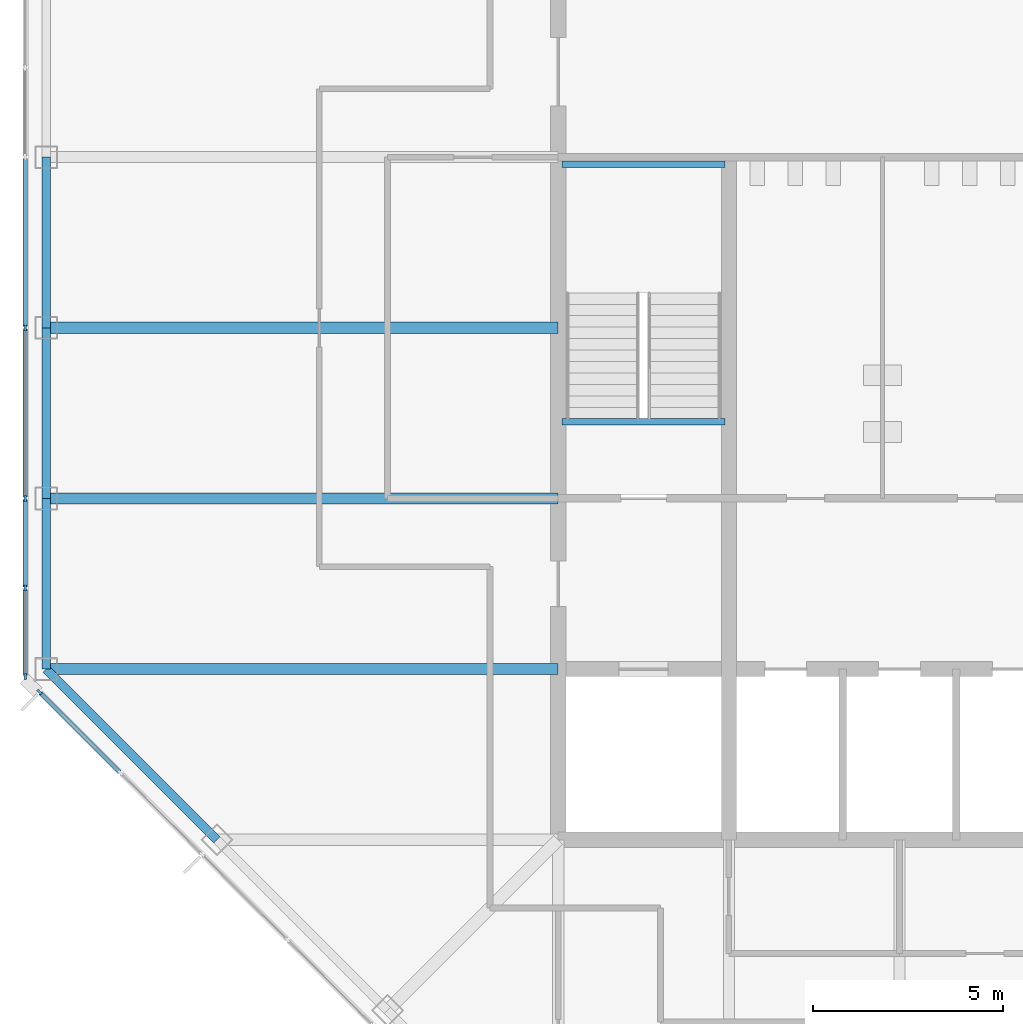
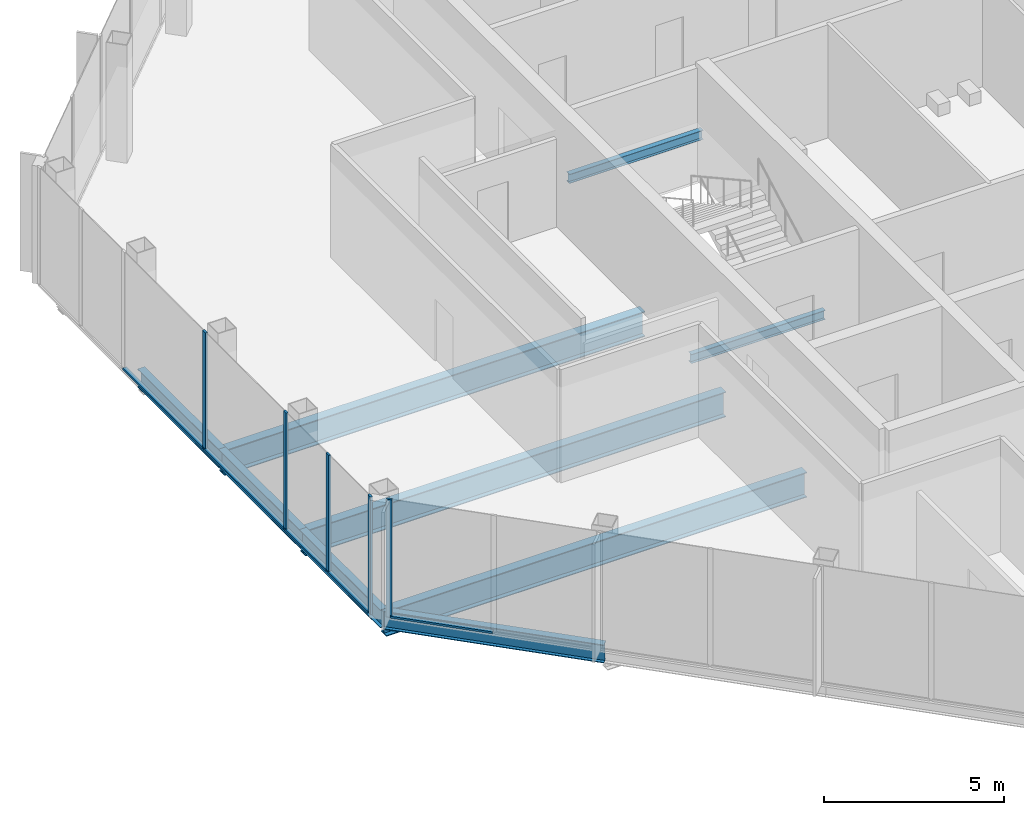
# One storey, part 3 of 14: 10 members, 9 beams, 2 elements without a shape of their own.
"""IFC4 building model written with IfcOpenShell, lengths in metres."""

from ifc_helpers import new_model, si_unit, direction, frame, origin, origin_2d, place, context, subcontext, project, spatial, rectangle, i_section, extrude, material, material_profile, profile_set, type_object, element, aggregate, save


model = new_model("IFC4")

# Units and contexts
model_context = context("Model", 3, precision=1e-05, world=origin(), true_north=direction((0.0, 1.0)))
body_context = subcontext(model_context, "Body", "Model", "MODEL_VIEW")
ifc_project = project(units=[si_unit("LENGTHUNIT", "METRE"), si_unit("AREAUNIT", "SQUARE_METRE"), si_unit("VOLUMEUNIT", "CUBIC_METRE"), si_unit("PLANEANGLEUNIT", "RADIAN"), si_unit("MASSUNIT", "GRAM", prefix="KILO")], contexts=[model_context])

# Site, building, storey
site_placement = place(None, origin())
site = spatial("IfcSite", under=ifc_project, at=site_placement, CompositionType="ELEMENT")
building_placement = place(site_placement, origin())
building = spatial("IfcBuilding", under=site, at=building_placement, Name="Corais Broadcast Tower", CompositionType="ELEMENT")
storey_placement = place(building_placement, frame((0.0, 0.0, 282.60009765625)))
storey = spatial("IfcBuildingStorey", under=building, at=storey_placement, Name="L66", CompositionType="ELEMENT", Elevation=282.60009765625)

# Beams
ifc_material_1 = material(Name="Steel ASTM A572 Grade 50", Category="steel")
ifc_material_profile_1 = material_profile(ifc_material_1, i_section(OverallWidth=0.2939453125, OverallDepth=0.85107421875, WebThickness=0.01611328125, FlangeThickness=0.02685546875, at=origin_2d()), Name="W840x226")
ifc_profile_set_1 = profile_set([ifc_material_profile_1], Name="Steel ASTM A572 Grade 50")
beam_type_1 = type_object("IfcBeamType", Name="Floor beam W840x226", PredefinedType="BEAM", material=ifc_profile_set_1)
for number, where, z_axis, x_axis, name in (
    (1, (0.0, 18.0, -0.585693359375), (1.0, 0.0, 0.0), (0.0, 1.0, 0.0), "B1 E/3 to E/6"),
    (2, (0.0, 22.5, -0.585693359375), (1.0, 0.0, 0.0), (0.0, 1.0, 0.0), "B1 F/3 to F/6"),
    (3, (0.0, 27.0, -0.585693359375), (1.0, 0.0, 0.0), (0.0, 1.0, 0.0), "B1 G/3 to G/6"),
):
    element("IfcBeam", number, at=place(storey_placement, frame(where, z_axis=z_axis, x_axis=x_axis)), inside=storey, type_object=beam_type_1, Name=name, PredefinedType="BEAM", context=body_context, shape_type="SweptSolid", body=[
        extrude(i_section(OverallWidth=0.2939453125, OverallDepth=0.85107421875, WebThickness=0.01611328125, FlangeThickness=0.02685546875, at=origin_2d()), origin(), (0.0, 0.0, 1.0), 13.5),
    ])
ifc_material_2 = material(Name="Steel ASTM A572 Grade 50", Category="steel")
ifc_material_profile_2 = material_profile(ifc_material_2, i_section(OverallWidth=0.1650390625, OverallDepth=0.31005859375, WebThickness=0.005859375, FlangeThickness=0.009765625, at=origin_2d()), Name="W310x38.7")
ifc_profile_set_2 = profile_set([ifc_material_profile_2], Name="Steel ASTM A572 Grade 50")
beam_type_2 = type_object("IfcBeamType", Name="Landing trimmer W310x38.7", PredefinedType="BEAM", material=ifc_profile_set_2)
for number, where, z_axis, x_axis, name in (
    (4, (13.60009765625, 24.52490234375, -0.35498046875), (1.0, 0.0, 0.0), (0.0, 1.0, 0.0), "LT1 stair A landing trimmer L66"),
    (5, (13.60009765625, 31.31005859375, 1.64501953125), (1.0, 0.0, 0.0), (0.0, 1.0, 0.0), "LT1 stair A half landing trimmer L66"),
):
    element("IfcBeam", number, at=place(storey_placement, frame(where, z_axis=z_axis, x_axis=x_axis)), inside=storey, type_object=beam_type_2, Name=name, PredefinedType="BEAM", context=body_context, shape_type="SweptSolid", body=[
        extrude(i_section(OverallWidth=0.1650390625, OverallDepth=0.31005859375, WebThickness=0.005859375, FlangeThickness=0.009765625, at=origin_2d()), origin(), (0.0, 0.0, 1.0), 4.2998046875),
    ])

# Curtain wall, member
ifc_material_3 = material(Name="Aluminium and glass", Category="aluminium")
curtain_wall_type = type_object("IfcCurtainWallType", Name="Unitised fritted curtain wall CW3", PredefinedType="NOTDEFINED", material=ifc_material_3)
curtain_wall_1_placement = place(storey_placement, origin())
curtain_wall_1 = element("IfcCurtainWall", 6, at=curtain_wall_1_placement, inside=storey, type_object=curtain_wall_type, Name="CW3 curtain wall L66 1", PredefinedType="NOTDEFINED")
ifc_material_4 = material(Name="Aluminium 6063-T6", Category="aluminium")
ifc_material_profile_3 = material_profile(ifc_material_4, rectangle(XDim=0.06494140625, YDim=0.159912109375, at=origin_2d()), Name="Mullion CW3 65x160")
ifc_profile_set_3 = profile_set([ifc_material_profile_3], Name="Aluminium 6063-T6")
member_type_1 = type_object("IfcMemberType", Name="Mullion CW3 65x160", PredefinedType="MULLION", material=ifc_profile_set_3)
member_1_placement = place(storey_placement, frame((-0.17333984375, 17.3955078125, 0.0), z_axis=(0.0, 0.0, 1.0), x_axis=(-0.707106781187, -0.707106781187, 0.0)))
member_1 = element("IfcMember", 7, at=member_1_placement, type_object=member_type_1, Name="CW3 mullion 9", PredefinedType="MULLION", context=body_context, shape_type="SweptSolid", body=[
    extrude(rectangle(XDim=0.06494140625, YDim=0.159912109375, at=origin_2d()), origin(), (0.0, 0.0, 1.0), 4.0),
])

# Curtain wall, members
curtain_wall_2_placement = place(storey_placement, origin())
curtain_wall_2 = element("IfcCurtainWall", 8, at=curtain_wall_2_placement, inside=storey, type_object=curtain_wall_type, Name="CW3 curtain wall L66 2", PredefinedType="NOTDEFINED")
member_2_placement = place(storey_placement, frame((-0.550048828125, 17.8046875, 0.0), z_axis=(0.0, 0.0, 1.0), x_axis=(-1.0, 0.0, 0.0)))
member_2 = element("IfcMember", 9, at=member_2_placement, type_object=member_type_1, Name="CW3 mullion 1", PredefinedType="MULLION", context=body_context, shape_type="SweptSolid", body=[
    extrude(rectangle(XDim=0.06494140625, YDim=0.159912109375, at=origin_2d()), origin(), (0.0, 0.0, 1.0), 4.0),
])
member_3_placement = place(storey_placement, frame((-0.550048828125, 20.135986328125, 0.0), z_axis=(0.0, 0.0, 1.0), x_axis=(-1.0, 0.0, 0.0)))
member_3 = element("IfcMember", 10, at=member_3_placement, type_object=member_type_1, Name="CW3 mullion 2", PredefinedType="MULLION", context=body_context, shape_type="SweptSolid", body=[
    extrude(rectangle(XDim=0.06494140625, YDim=0.159912109375, at=origin_2d()), origin(), (0.0, 0.0, 1.0), 4.0),
])
member_4_placement = place(storey_placement, frame((-0.550048828125, 22.5, 0.0), z_axis=(0.0, 0.0, 1.0), x_axis=(-1.0, 0.0, 0.0)))
member_4 = element("IfcMember", 11, at=member_4_placement, type_object=member_type_1, Name="CW3 mullion 3", PredefinedType="MULLION", context=body_context, shape_type="SweptSolid", body=[
    extrude(rectangle(XDim=0.06494140625, YDim=0.159912109375, at=origin_2d()), origin(), (0.0, 0.0, 1.0), 4.0),
])
member_5_placement = place(storey_placement, frame((-0.550048828125, 27.0, 0.0), z_axis=(0.0, 0.0, 1.0), x_axis=(-1.0, 0.0, 0.0)))
member_5 = element("IfcMember", 12, at=member_5_placement, type_object=member_type_1, Name="CW3 mullion 4", PredefinedType="MULLION", context=body_context, shape_type="SweptSolid", body=[
    extrude(rectangle(XDim=0.06494140625, YDim=0.159912109375, at=origin_2d()), origin(), (0.0, 0.0, 1.0), 4.0),
])

# Beams
ifc_material_5 = material(Name="Steel ASTM A572 Grade 50", Category="steel")
ifc_material_profile_4 = material_profile(ifc_material_5, i_section(OverallWidth=0.22998046875, OverallDepth=0.616943359375, WebThickness=0.01318359375, FlangeThickness=0.022216796875, at=origin_2d()), Name="W610x140")
ifc_profile_set_4 = profile_set([ifc_material_profile_4], Name="Steel ASTM A572 Grade 50")
beam_type_3 = type_object("IfcBeamType", Name="Spandrel W610x140", PredefinedType="BEAM", material=ifc_profile_set_4)
beam_placement = place(storey_placement, frame((0.0, 18.0, -0.468505859375), z_axis=(0.707106781187, -0.707106781187, 0.0), x_axis=(0.707106781187, 0.707106781187, 0.0)))
element("IfcBeam", 13, at=beam_placement, inside=storey, type_object=beam_type_3, Name="SB3 E/3 to D/4", PredefinedType="BEAM", context=body_context, shape_type="SweptSolid", body=[
    extrude(i_section(OverallWidth=0.22998046875, OverallDepth=0.616943359375, WebThickness=0.01318359375, FlangeThickness=0.022216796875, at=origin_2d()), origin(), (0.0, 0.0, 1.0), 6.364013671875),
])
for number, where, z_axis, x_axis, name in (
    (14, (0.0, 22.5, -0.468505859375), (0.0, -1.0, 0.0), (1.0, 0.0, 0.0), "SB3 F/3 to E/3"),
    (15, (0.0, 27.0, -0.468505859375), (0.0, -1.0, 0.0), (1.0, 0.0, 0.0), "SB3 G/3 to F/3"),
    (16, (0.0, 31.5, -0.468505859375), (0.0, -1.0, 0.0), (1.0, 0.0, 0.0), "SB3 H/3 to G/3"),
):
    element("IfcBeam", number, at=place(storey_placement, frame(where, z_axis=z_axis, x_axis=x_axis)), inside=storey, type_object=beam_type_3, Name=name, PredefinedType="BEAM", context=body_context, shape_type="SweptSolid", body=[
        extrude(i_section(OverallWidth=0.22998046875, OverallDepth=0.616943359375, WebThickness=0.01318359375, FlangeThickness=0.022216796875, at=origin_2d()), origin(), (0.0, 0.0, 1.0), 4.5),
    ])

# Member
ifc_material_6 = material(Name="Aluminium 6063-T6", Category="aluminium")
ifc_material_profile_5 = material_profile(ifc_material_6, rectangle(XDim=0.1201171875, YDim=0.06494140625, at=origin_2d()), Name="Transom CW3 65x120")
ifc_profile_set_5 = profile_set([ifc_material_profile_5], Name="Aluminium 6063-T6")
member_type_2 = type_object("IfcMemberType", Name="Transom CW3 65x120", PredefinedType="USERDEFINED", material=ifc_profile_set_5)
member_6_placement = place(storey_placement, frame((1.934326171875, 15.287841796875, 0.032470703125), z_axis=(-0.707106781187, 0.707106781187, 0.0), x_axis=(-0.707106781187, -0.707106781187, 0.0)))
member_6 = element("IfcMember", 17, at=member_6_placement, type_object=member_type_2, Name="CW3 transom 8.1", ObjectType="TRANSOM", PredefinedType="USERDEFINED", context=body_context, shape_type="SweptSolid", body=[
    extrude(rectangle(XDim=0.1201171875, YDim=0.06494140625, at=origin_2d()), origin(), (0.0, 0.0, 1.0), 2.9482421875),
])

aggregate(curtain_wall_1, [member_1, member_6])

member_7_placement = place(storey_placement, frame((-0.550048828125, 17.837158203125, 0.032470703125), z_axis=(0.0, 1.0, 0.0), x_axis=(-1.0, 0.0, 0.0)))
member_7 = element("IfcMember", 18, at=member_7_placement, type_object=member_type_2, Name="CW3 transom 1.1", ObjectType="TRANSOM", PredefinedType="USERDEFINED", context=body_context, shape_type="SweptSolid", body=[
    extrude(rectangle(XDim=0.1201171875, YDim=0.06494140625, at=origin_2d()), origin(), (0.0, 0.0, 1.0), 2.266357421875),
])

member_8_placement = place(storey_placement, frame((-0.550048828125, 20.168701171875, 0.032470703125), z_axis=(0.0, 1.0, 0.0), x_axis=(-1.0, 0.0, 0.0)))
member_8 = element("IfcMember", 19, at=member_8_placement, type_object=member_type_2, Name="CW3 transom 2.1", ObjectType="TRANSOM", PredefinedType="USERDEFINED", context=body_context, shape_type="SweptSolid", body=[
    extrude(rectangle(XDim=0.1201171875, YDim=0.06494140625, at=origin_2d()), origin(), (0.0, 0.0, 1.0), 2.298828125),
])

member_9_placement = place(storey_placement, frame((-0.550048828125, 22.532470703125, 0.032470703125), z_axis=(0.0, 1.0, 0.0), x_axis=(-1.0, 0.0, 0.0)))
member_9 = element("IfcMember", 20, at=member_9_placement, type_object=member_type_2, Name="CW3 transom 3.1", ObjectType="TRANSOM", PredefinedType="USERDEFINED", context=body_context, shape_type="SweptSolid", body=[
    extrude(rectangle(XDim=0.1201171875, YDim=0.06494140625, at=origin_2d()), origin(), (0.0, 0.0, 1.0), 4.43505859375),
])

member_10_placement = place(storey_placement, frame((-0.550048828125, 27.032470703125, 0.032470703125), z_axis=(0.0, 1.0, 0.0), x_axis=(-1.0, 0.0, 0.0)))
member_10 = element("IfcMember", 21, at=member_10_placement, type_object=member_type_2, Name="CW3 transom 4.1", ObjectType="TRANSOM", PredefinedType="USERDEFINED", context=body_context, shape_type="SweptSolid", body=[
    extrude(rectangle(XDim=0.1201171875, YDim=0.06494140625, at=origin_2d()), origin(), (0.0, 0.0, 1.0), 4.43505859375),
])

aggregate(curtain_wall_2, [member_2, member_3, member_4, member_5, member_7, member_8, member_9, member_10])

save(model, "model.ifc")
